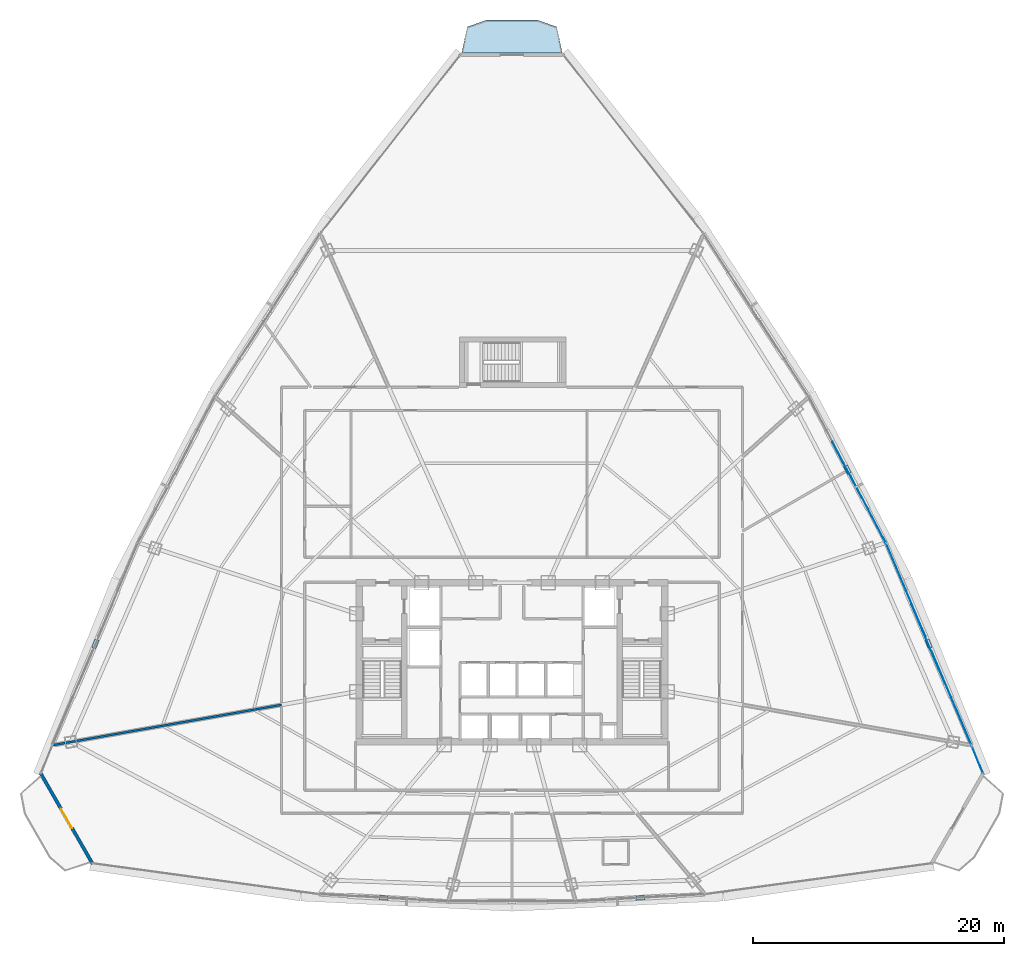
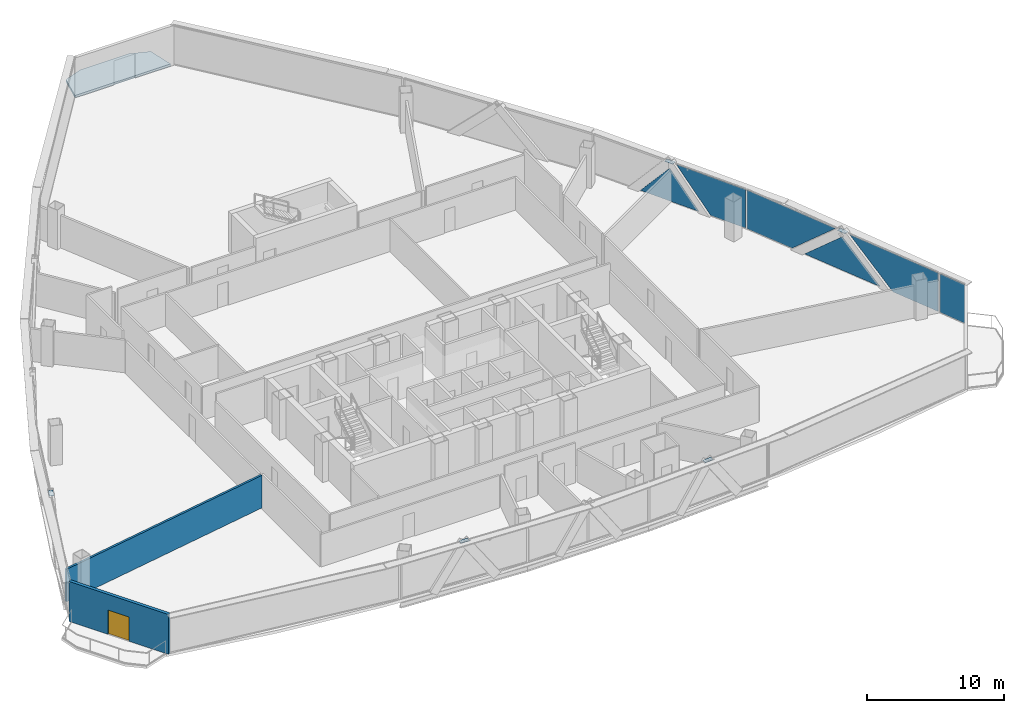
# One storey, part 28 of 36: 11 plates, 2 walls, 1 door, 1 slab, 1 opening, 3 elements without a shape of their own.
"""IFC4 building model written with IfcOpenShell, lengths in metres."""

from ifc_helpers import new_model, si_unit, direction, frame, frame_2d, origin, origin_with_axes, origin_2d, place, context, subcontext, project, spatial, polyline, rectangle, outline, extrude, source, transform, mapped, material, layer, layer_set, type_object, element, fill, aggregate, save


model = new_model("IFC4")

# Units and contexts
model_context = context("Model", 3, precision=1e-05, world=origin(), true_north=direction((0.0, 1.0)))
body_context = subcontext(model_context, "Body", "Model", "MODEL_VIEW")
ifc_project = project(units=[si_unit("LENGTHUNIT", "METRE"), si_unit("AREAUNIT", "SQUARE_METRE"), si_unit("VOLUMEUNIT", "CUBIC_METRE"), si_unit("PLANEANGLEUNIT", "RADIAN"), si_unit("MASSUNIT", "GRAM", prefix="KILO"), si_unit("THERMODYNAMICTEMPERATUREUNIT", "KELVIN"), si_unit("POWERUNIT", "WATT")], contexts=[model_context])

# Site, building, storey
site_placement = place(None, origin())
site = spatial("IfcSite", under=ifc_project, at=site_placement, CompositionType="ELEMENT")
building_placement = place(site_placement, origin())
building = spatial("IfcBuilding", under=site, at=building_placement, Name="Yunzhuo Pagoda Commons", CompositionType="ELEMENT")
storey_placement = place(building_placement, frame((0.0, 0.0, 211.360107421875)))
storey = spatial("IfcBuildingStorey", under=building, at=storey_placement, Name="L53", CompositionType="ELEMENT", Elevation=211.360107421875)

# Curtain wall, plates
ifc_material_1 = material(Name="Anodized aluminium 6063-T6", Category="aluminium")
ifc_layer_1 = layer(ifc_material_1, 0.14990234375)
ifc_layer_set_1 = layer_set([ifc_layer_1], Name="Anodized aluminium 6063-T6")
curtain_wall_type = type_object("IfcCurtainWallType", Name="CW-MID Mid-Zone Ribbon Curtain Wall", PredefinedType="NOTDEFINED", material=ifc_layer_set_1)
curtain_wall_1_placement = place(storey_placement, origin())
curtain_wall_1 = element("IfcCurtainWall", 1, at=curtain_wall_1_placement, inside=storey, type_object=curtain_wall_type, Name="L53 curtain wall CW-L53-F2B2", PredefinedType="NOTDEFINED")
ifc_material_2 = material(Name="Tempered low-e double glazing", Category="glass")
ifc_layer_2 = layer(ifc_material_2, 0.028076171875)
ifc_layer_set_2 = layer_set([ifc_layer_2], Name="Tempered low-e double glazing")
plate_type_1 = type_object("IfcPlateType", Name="CW-MID-P Low-E Double Glazing 28", PredefinedType="CURTAIN_PANEL", material=ifc_layer_set_2)
plate_1_placement = place(storey_placement, frame((83.06689453125, 30.99951171875, 1.769775390625), z_axis=(0.920979205321, 0.389611734123, 0.0), x_axis=(-0.389611734123, 0.920979205321, 0.0)))
plate_1 = element("IfcPlate", 2, at=plate_1_placement, type_object=plate_type_1, Name="CW panel 1.1 lite 1", PredefinedType="CURTAIN_PANEL", context=body_context, shape_type="SweptSolid", body=[
    extrude(outline(polyline([(-4.03515625, -1.715087890625), (0.0751953125, -1.715087890625), (4.03515625, 1.715087890625), (-4.03515625, 1.715087890625), (-4.03515625, -1.715087890625)])), origin(), (0.0, 0.0, 1.0), 0.028076171875),
])
plate_2_placement = place(storey_placement, frame((81.216064453125, 35.297119140625, 1.5458984375), z_axis=(0.920979205321, 0.389611734123, 0.0), x_axis=(-0.389611734123, 0.920979205321, 0.0)))
plate_2 = element("IfcPlate", 3, at=plate_2_placement, type_object=plate_type_1, Name="CW panel 1.1 lite 2", PredefinedType="CURTAIN_PANEL", context=body_context, shape_type="SweptSolid", body=[
    extrude(outline(polyline([(-3.443115234375, -1.4912109375), (3.443115234375, -1.4912109375), (0.0, 1.4912109375), (-3.443115234375, -1.4912109375)])), origin(), (0.0, 0.0, 1.0), 0.028076171875),
])
plate_3_placement = place(storey_placement, frame((79.420654296875, 39.617919921875, 1.769775390625), z_axis=(0.920979205321, 0.389611734123, 0.0), x_axis=(-0.389611734123, 0.920979205321, 0.0)))
plate_3 = element("IfcPlate", 4, at=plate_3_placement, type_object=plate_type_1, Name="CW panel 1.1 lite 3", PredefinedType="CURTAIN_PANEL", context=body_context, shape_type="SweptSolid", body=[
    extrude(outline(polyline([(-4.03515625, 1.715087890625), (-0.0751953125, -1.715087890625), (4.03515625, -1.715087890625), (4.03515625, 1.715087890625), (-4.03515625, 1.715087890625)])), origin(), (0.0, 0.0, 1.0), 0.028076171875),
])
aggregate(curtain_wall_1, [plate_1, plate_2, plate_3])

curtain_wall_2_placement = place(storey_placement, origin())
curtain_wall_2 = element("IfcCurtainWall", 5, at=curtain_wall_2_placement, inside=storey, type_object=curtain_wall_type, Name="L53 curtain wall CW-L53-F2B3", PredefinedType="NOTDEFINED")
plate_4_placement = place(storey_placement, frame((76.406005859375, 46.0830078125, 1.769775390625), z_axis=(0.884704570243, 0.466152146184, 0.0), x_axis=(-0.466152146184, 0.884704570243, 0.0)))
plate_4 = element("IfcPlate", 6, at=plate_4_placement, type_object=plate_type_1, Name="CW panel 1.1 lite 1", PredefinedType="CURTAIN_PANEL", context=body_context, shape_type="SweptSolid", body=[
    extrude(outline(polyline([(-2.98583984375, -1.715087890625), (0.015380859375, -1.715087890625), (2.98583984375, 1.715087890625), (-2.98583984375, 1.715087890625), (-2.98583984375, -1.715087890625)])), origin(), (0.0, 0.0, 1.0), 0.028076171875),
])
plate_5_placement = place(storey_placement, frame((74.73095703125, 49.197509765625, 1.507080078125), z_axis=(0.884704570243, 0.466152146184, 0.0), x_axis=(-0.466152146184, 0.884704570243, 0.0)))
plate_5 = element("IfcPlate", 7, at=plate_5_placement, type_object=plate_type_1, Name="CW panel 1.1 lite 2", PredefinedType="CURTAIN_PANEL", context=body_context, shape_type="SweptSolid", body=[
    extrude(outline(polyline([(-2.515380859375, -1.452392578125), (2.515380859375, -1.452392578125), (0.0, 1.4521484375), (-2.515380859375, -1.452392578125)])), origin(), (0.0, 0.0, 1.0), 0.028076171875),
])
aggregate(curtain_wall_2, [plate_4, plate_5])

# Slab
ifc_material_3 = material(Name="Concrete C40", Category="concrete")
ifc_layer_3 = layer(ifc_material_3, 0.199951171875)
ifc_layer_set_3 = layer_set([ifc_layer_3], Name="Concrete C40")
slab_type = type_object("IfcSlabType", Name="SL-BAL Vertex Balcony Deck Slab 200", PredefinedType="FLOOR", material=ifc_layer_set_3)
slab_placement = place(storey_placement, frame((0.0, 0.0, -0.2001953125)))
element("IfcSlab", 8, at=slab_placement, inside=storey, type_object=slab_type, Name="L53 corner balcony V3", PredefinedType="FLOOR", context=body_context, shape_type="SweptSolid", body=[
    extrude(outline(polyline([(52.01953125, 82.4716796875), (43.98046875, 82.4716796875), (44.430419921875, 84.566650390625), (45.990234375, 85.11669921875), (50.009765625, 85.11669921875), (51.569580078125, 84.566650390625), (52.01953125, 82.4716796875)])), origin(), (0.0, 0.0, 1.0), 0.2001953125),
])

# Plates
ifc_material_4 = material(Name="Structural steel Q355B", Category="steel")
ifc_layer_4 = layer(ifc_material_4, 0.028076171875)
ifc_layer_set_4 = layer_set([ifc_layer_4], Name="Structural steel Q355B")
plate_type_2 = type_object("IfcPlateType", Name="SP-ND1 Lattice Node Cap Plate 800x500x28", PredefinedType="USERDEFINED", material=ifc_layer_set_4)
shared_shape_1 = source(origin(), body_context, "Body", "SweptSolid", [
    extrude(rectangle(XDim=0.699951171875, YDim=0.35009765625, at=origin_2d()), origin(), (0.0, 0.0, 1.0), 0.035888671875),
])
for number, where, z_axis, x_axis, name in (
    (9, (37.758056640625, 15.04833984375, 3.501953125), (0.0, 0.0, 1.0), (0.998450491665, -0.055647243357, 0.0), "L53 setback lattice tie plate F1.1L"),
    (10, (58.241943359375, 15.04833984375, 3.501953125), (0.0, 0.0, 1.0), (0.998450491665, 0.055647243357, 0.0), "L53 setback lattice tie plate F1.3L"),
    (11, (81.256591796875, 35.314208984375, 3.501953125), (0.0, 0.0, 1.0), (-0.389606228328, 0.920981534477, 0.0), "L53 setback lattice tie plate F2.1L"),
    (12, (74.77001953125, 49.218017578125, 3.501953125), (0.0, 0.0, 1.0), (-0.466155041602, 0.884703044636, 0.0), "L53 setback lattice tie plate F2.2L"),
    (13, (14.7431640625, 35.314208984375, 3.501953125), (0.0, 0.0, 1.0), (-0.389606228328, -0.920981534477, 0.0), "L53 setback lattice tie plate F3.3L"),
):
    element("IfcPlate", number, at=place(storey_placement, frame(where, z_axis=z_axis, x_axis=x_axis)), inside=storey, type_object=plate_type_2, Name=name, ObjectType="STIFFENER_PLATE", PredefinedType="USERDEFINED", context=body_context, shape_type="MappedRepresentation", body=[
        mapped(shared_shape_1, transform((0.0, 0.0, 0.0), scale=1.0)),
    ])

# Curtain wall, plate
curtain_wall_3_placement = place(storey_placement, origin())
curtain_wall_3 = element("IfcCurtainWall", 14, at=curtain_wall_3_placement, inside=storey, type_object=curtain_wall_type, Name="L53 curtain wall CW-L53-F2B1", PredefinedType="NOTDEFINED")
shared_shape_2 = source(origin(), body_context, "Body", "SweptSolid", [
    extrude(rectangle(XDim=2.25927734375, YDim=0.028076171875, at=origin_2d()), origin(), (0.0, 0.0, 1.0), 3.429931640625),
])
plate_6_placement = place(storey_placement, frame((85.155517578125, 26.063232421875, 0.0546875), z_axis=(0.0, 0.0, 1.0), x_axis=(-0.379679953183, 0.925117902297, 0.0)))
plate_6 = element("IfcPlate", 15, at=plate_6_placement, type_object=plate_type_1, Name="CW panel 1.1", PredefinedType="CURTAIN_PANEL", context=body_context, shape_type="MappedRepresentation", body=[
    mapped(shared_shape_2, transform((0.0, 0.0, 0.0), scale=1.0)),
])
aggregate(curtain_wall_3, [plate_6])

# Wall, opening, door
ifc_material_5 = material(Name="Precast concrete C40", Category="concrete")
ifc_layer_5 = layer(ifc_material_5, 0.260009765625)
ifc_layer_set_5 = layer_set([ifc_layer_5], Name="Precast concrete C40")
wall_type_1 = type_object("IfcWallType", Name="W-BAL1 Corner Balcony Threshold Wall 260", PredefinedType="STANDARD", material=ifc_layer_set_5)
wall_1_placement = place(storey_placement, frame((10.365478515625, 25.01025390625, 0.0), z_axis=(0.0, 0.0, 1.0), x_axis=(0.497934125263, -0.867214856249, 0.0)))
wall_1 = element("IfcWall", 16, at=wall_1_placement, inside=storey, type_object=wall_type_1, Name="L53 corner balcony wall V1", PredefinedType="STANDARD", context=body_context, shape_type="SweptSolid", body=[
    extrude(rectangle(XDim=8.37255859375, YDim=0.260009765625, at=frame_2d((4.186279296875, 0.0))), origin(), (0.0, 0.0, 1.0), 3.539794921875),
])
opening_placement = place(wall_1_placement, frame((3.286376953125, 0.0, 0.0)))
opening = element("IfcOpeningElement", 17, at=opening_placement, cuts=wall_1, Name="Opening D-BAL1", PredefinedType="OPENING", context=body_context, shape_type="SweptSolid", body=[
    extrude(rectangle(XDim=1.800048828125, YDim=2.14990234375, at=frame_2d((0.89990234375, 1.074951171875))), frame((0.0, 0.14013671875, 0.0), z_axis=(0.0, -1.0, 0.0), x_axis=(1.0, 0.0, 0.0)), (0.0, 0.0, 1.0), 0.280029296875),
])
ifc_material_6 = material(Name="Anodized aluminium frame and tempered glazed leaf", Category="aluminium")
door_type = type_object("IfcDoorType", Name="D-BAL1 Corner Balcony Sliding Glazed Door 1800x2150", OperationType="DOUBLE_DOOR_SLIDING", PredefinedType="DOOR", material=ifc_material_6)
shared_shape_3 = source(origin(), body_context, "Body", "SweptSolid", [
    extrude(rectangle(XDim=1.800048828125, YDim=2.14990234375, at=frame_2d((0.89990234375, 1.074951171875))), frame((0.0, 0.02490234375, 0.0), z_axis=(0.0, -1.0, 0.0), x_axis=(1.0, 0.0, 0.0)), (0.0, 0.0, 1.0), 0.050048828125),
])
door_placement = place(opening_placement, origin_with_axes())
door = element("IfcDoor", 18, at=door_placement, inside=storey, type_object=door_type, Name="L53 corner balcony sliding door V1", OperationType="DOUBLE_DOOR_SLIDING", OverallHeight=2.14990234375, OverallWidth=1.800048828125, PredefinedType="DOOR", context=body_context, shape_type="MappedRepresentation", body=[
    mapped(shared_shape_3, transform((0.0, 0.0, 0.0), scale=1.0)),
])
fill(opening, door)

# Wall
ifc_material_7 = material(Name="Gypsum plasterboard on acoustic stud")
ifc_layer_6 = layer(ifc_material_7, 0.175048828125)
ifc_layer_set_6 = layer_set([ifc_layer_6], Name="Gypsum plasterboard on acoustic stud")
wall_type_2 = type_object("IfcWallType", Name="W-PRT3 Mid-Zone Demising Wall 175", PredefinedType="PARTITIONING", material=ifc_layer_set_6)
wall_2_placement = place(storey_placement, frame((29.60009765625, 30.45556640625, 0.0), z_axis=(0.0, 0.0, 1.0), x_axis=(-0.984808051039, -0.173646487465, 0.0)))
element("IfcWall", 19, at=wall_2_placement, inside=storey, type_object=wall_type_2, Name="L53 interior wall IW-L53-RAD07", PredefinedType="PARTITIONING", context=body_context, shape_type="SweptSolid", body=[
    extrude(rectangle(XDim=18.557373046875, YDim=0.175048828125, at=frame_2d((9.27880859375, 0.0))), origin(), (0.0, 0.0, 1.0), 2.889892578125),
])

save(model, "model.ifc")
